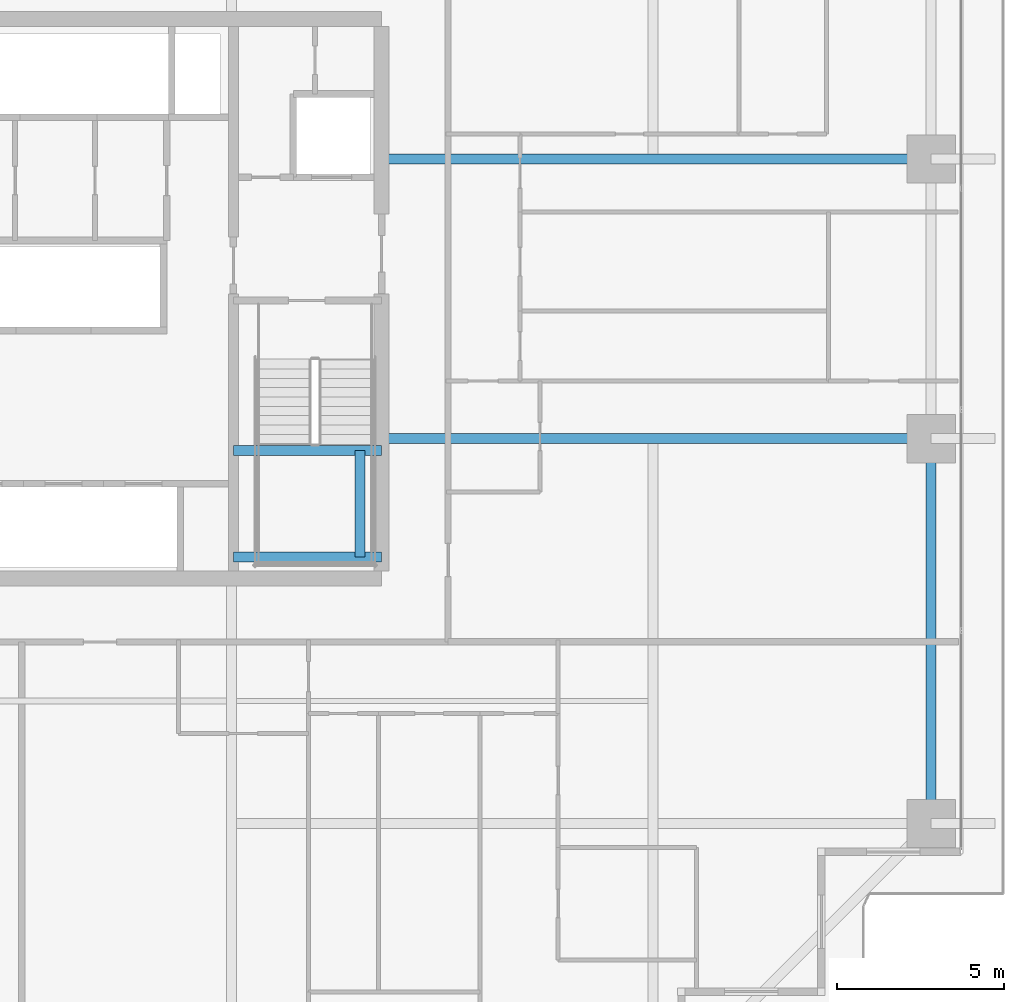
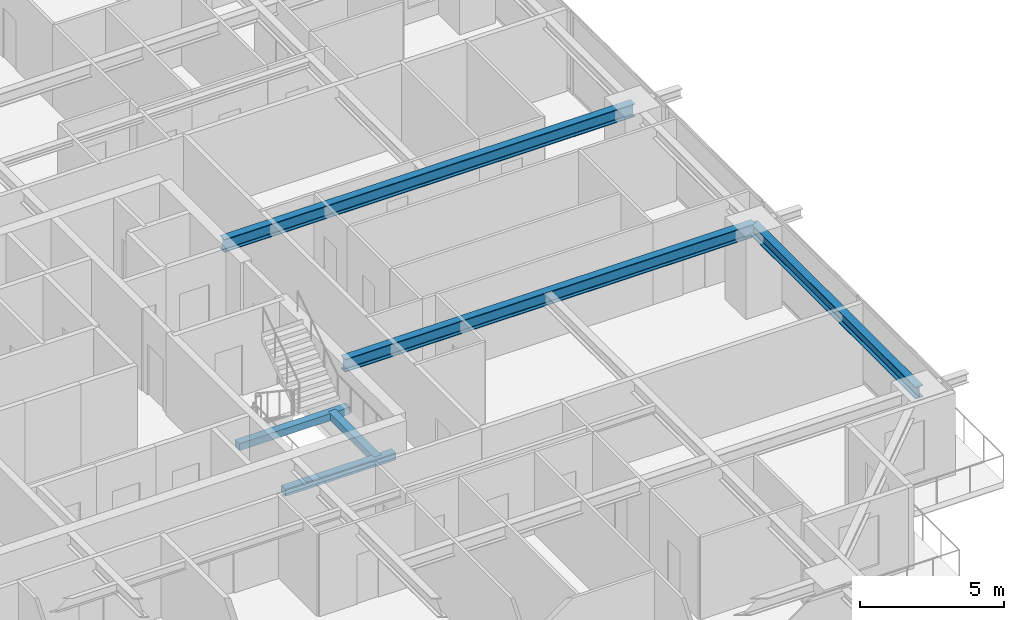
# One storey, part 13 of 36: 6 beams.
"""IFC4 building model written with IfcOpenShell, lengths in metres."""

from ifc_helpers import new_model, si_unit, direction, frame, origin, origin_2d, place, context, subcontext, project, spatial, rectangle, i_section, extrude, source, transform, mapped, material, material_profile, profile_set, type_object, element, save


model = new_model("IFC4")

# Units and contexts
model_context = context("Model", 3, precision=1e-05, world=origin(), true_north=direction((0.0, 1.0)))
body_context = subcontext(model_context, "Body", "Model", "MODEL_VIEW")
ifc_project = project(units=[si_unit("LENGTHUNIT", "METRE"), si_unit("AREAUNIT", "SQUARE_METRE"), si_unit("VOLUMEUNIT", "CUBIC_METRE"), si_unit("PLANEANGLEUNIT", "RADIAN"), si_unit("MASSUNIT", "GRAM", prefix="KILO")], contexts=[model_context])

# Site, building, storey
site_placement = place(None, origin())
site = spatial("IfcSite", under=ifc_project, at=site_placement, CompositionType="ELEMENT")
building_placement = place(site_placement, origin())
building = spatial("IfcBuilding", under=site, at=building_placement, Name="Serunith Strait Residences", CompositionType="ELEMENT")
storey_placement = place(building_placement, frame((0.0, 0.0, 41.699951171875)))
storey = spatial("IfcBuildingStorey", under=building, at=storey_placement, Name="L09", CompositionType="ELEMENT", Elevation=41.699951171875)

# Beams
ifc_material_1 = material(Name="Steel S355J2", Category="steel")
ifc_material_profile_1 = material_profile(ifc_material_1, i_section(OverallWidth=0.300048828125, OverallDepth=0.550048828125, WebThickness=0.014892578125, FlangeThickness=0.029052734375, FilletRadius=0.027099609375, at=origin_2d()), Name="HEB 550")
ifc_profile_set_1 = profile_set([ifc_material_profile_1], Name="Steel S355J2")
beam_type_1 = type_object("IfcBeamType", Name="BM-HEB550", PredefinedType="BEAM", material=ifc_profile_set_1)
shared_shape_1 = source(origin(), body_context, "Body", "SweptSolid", [
    extrude(i_section(OverallWidth=0.300048828125, OverallDepth=0.550048828125, WebThickness=0.014892578125, FlangeThickness=0.029052734375, FilletRadius=0.027099609375, at=origin_2d()), origin(), (0.0, 0.0, 1.0), 16.5),
])
for number, where, z_axis, x_axis, name in (
    (1, (41.39990234375, 21.0, 3.212158203125), (1.0, 0.0, 0.0), (0.0, 1.0, 0.0), "L09 Primary Floor Girder TC-E2"),
    (2, (41.39990234375, 29.39990234375, 3.212158203125), (1.0, 0.0, 0.0), (0.0, 1.0, 0.0), "L09 Primary Floor Girder TC-E3"),
):
    element("IfcBeam", number, at=place(storey_placement, frame(where, z_axis=z_axis, x_axis=x_axis)), inside=storey, type_object=beam_type_1, Name=name, PredefinedType="BEAM", context=body_context, shape_type="MappedRepresentation", body=[
        mapped(shared_shape_1, transform((0.0, 0.0, 0.0), scale=1.0)),
    ])
ifc_material_profile_2 = material_profile(ifc_material_1, i_section(OverallWidth=0.300048828125, OverallDepth=0.5, WebThickness=0.014404296875, FlangeThickness=0.028076171875, FilletRadius=0.027099609375, at=origin_2d()), Name="HEB 500")
ifc_profile_set_2 = profile_set([ifc_material_profile_2], Name="Steel S355J2")
beam_type_2 = type_object("IfcBeamType", Name="BM-HEB500", PredefinedType="BEAM", material=ifc_profile_set_2)
shared_shape_2 = source(origin(), body_context, "Body", "SweptSolid", [
    extrude(i_section(OverallWidth=0.300048828125, OverallDepth=0.5, WebThickness=0.014404296875, FlangeThickness=0.028076171875, FilletRadius=0.027099609375, at=origin_2d()), origin(), (0.0, 0.0, 1.0), 11.550048828125),
])
beam_1_placement = place(storey_placement, frame((57.89990234375, 9.449951171875, 3.237060546875), z_axis=(0.0, 1.0, 0.0), x_axis=(-1.0, 0.0, 0.0)))
element("IfcBeam", 3, at=beam_1_placement, inside=storey, type_object=beam_type_2, Name="L09 Perimeter Ring Beam 05", PredefinedType="BEAM", context=body_context, shape_type="MappedRepresentation", body=[
    mapped(shared_shape_2, transform((0.0, 0.0, 0.0), scale=1.0)),
])
ifc_material_2 = material(Name="Concrete C60/75", Category="concrete")
ifc_material_profile_3 = material_profile(ifc_material_2, rectangle(XDim=0.300048828125, YDim=0.300048828125, at=origin_2d()), Name="RC 300x300")
ifc_profile_set_3 = profile_set([ifc_material_profile_3], Name="Concrete C60/75")
beam_type_3 = type_object("IfcBeamType", Name="BM-LAND-300x300", PredefinedType="BEAM", material=ifc_profile_set_3)
shared_shape_3 = source(origin(), body_context, "Body", "SweptSolid", [
    extrude(rectangle(XDim=0.300048828125, YDim=0.300048828125, at=origin_2d()), origin(), (0.0, 0.0, 1.0), 3.199951171875),
])
beam_2_placement = place(storey_placement, frame((40.75, 17.449951171875, 1.525146484375), z_axis=(0.0, 1.0, 0.0), x_axis=(-1.0, 0.0, 0.0)))
element("IfcBeam", 4, at=beam_2_placement, inside=storey, type_object=beam_type_3, Name="L09 ST-2 Landing Transverse Tie Beam", PredefinedType="BEAM", context=body_context, shape_type="MappedRepresentation", body=[
    mapped(shared_shape_3, transform((0.0, 0.0, 0.0), scale=1.0)),
])
shared_shape_4 = source(origin(), body_context, "Body", "SweptSolid", [
    extrude(rectangle(XDim=0.300048828125, YDim=0.300048828125, at=origin_2d()), origin(), (0.0, 0.0, 1.0), 4.449951171875),
])
for number, where, z_axis, x_axis, name in (
    (5, (36.949951171875, 17.449951171875, 1.525146484375), (1.0, 0.0, 0.0), (0.0, 1.0, 0.0), "L09 ST-2 Landing Support Beam 1"),
    (6, (36.949951171875, 20.64990234375, 1.525146484375), (1.0, 0.0, 0.0), (0.0, 1.0, 0.0), "L09 ST-2 Landing Support Beam 2"),
):
    element("IfcBeam", number, at=place(storey_placement, frame(where, z_axis=z_axis, x_axis=x_axis)), inside=storey, type_object=beam_type_3, Name=name, PredefinedType="BEAM", context=body_context, shape_type="MappedRepresentation", body=[
        mapped(shared_shape_4, transform((0.0, 0.0, 0.0), scale=1.0)),
    ])

save(model, "model.ifc")
